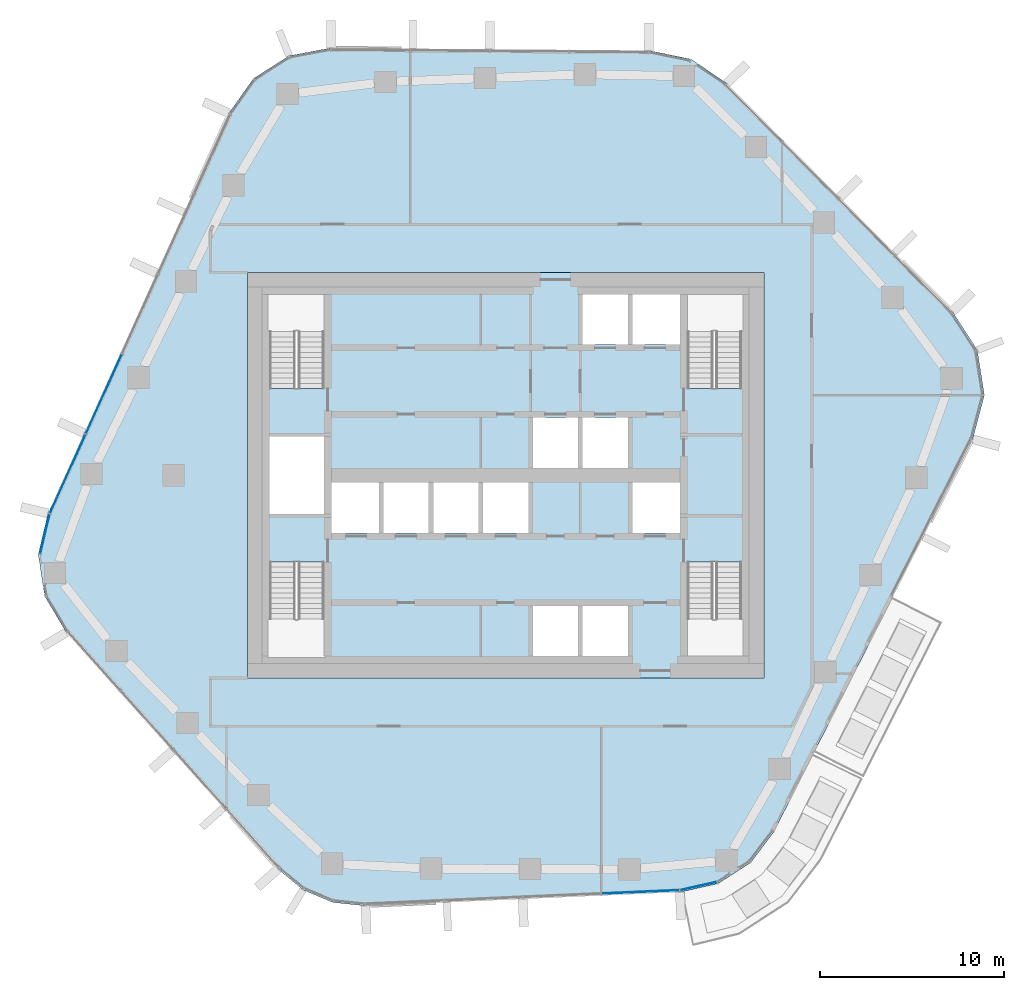
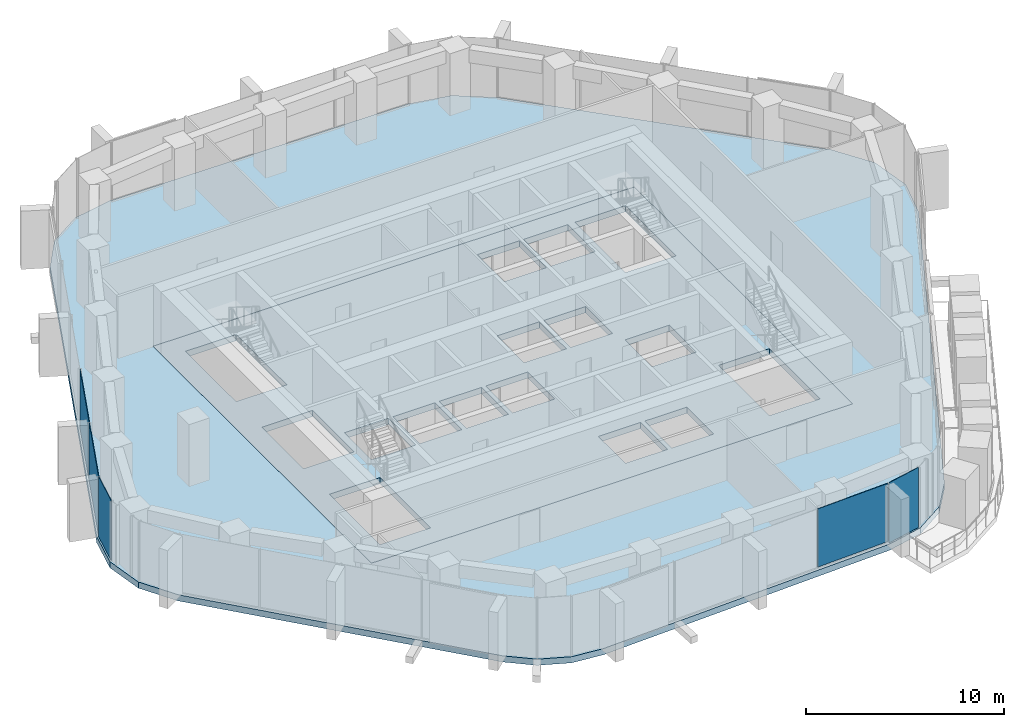
# One storey, part 8 of 17: 5 plates, 2 slabs, 4 elements without a shape of their own.
"""IFC4 building model written with IfcOpenShell, lengths in metres."""

from ifc_helpers import new_model, si_unit, direction, frame, origin, origin_2d, place, context, subcontext, project, spatial, polyline, rectangle, outline, extrude, material, layer, layer_set, type_object, element, aggregate, save


model = new_model("IFC4")

# Units and contexts
model_context = context("Model", 3, precision=1e-05, world=origin(), true_north=direction((0.0, 1.0)))
body_context = subcontext(model_context, "Body", "Model", "MODEL_VIEW")
ifc_project = project(units=[si_unit("LENGTHUNIT", "METRE"), si_unit("AREAUNIT", "SQUARE_METRE"), si_unit("VOLUMEUNIT", "CUBIC_METRE"), si_unit("PLANEANGLEUNIT", "RADIAN"), si_unit("MASSUNIT", "GRAM", prefix="KILO")], contexts=[model_context])

# Site, building, storey
site_placement = place(None, origin())
site = spatial("IfcSite", under=ifc_project, at=site_placement, CompositionType="ELEMENT")
building_placement = place(site_placement, origin())
building = spatial("IfcBuilding", under=site, at=building_placement, Name="Dongbaek Canopy Tower", CompositionType="ELEMENT")
storey_placement = place(building_placement, frame((0.0, 0.0, 175.39990234375)))
storey = spatial("IfcBuildingStorey", under=building, at=storey_placement, Name="L38", CompositionType="ELEMENT", Elevation=175.39990234375)

# Curtain wall, plates
ifc_material_1 = material(Name="Aluminium 6063-T6 pale anodised", Category="aluminium")
ifc_layer_1 = layer(ifc_material_1, 0.199951171875)
ifc_layer_set_1 = layer_set([ifc_layer_1], Name="CW-1 unitised tower curtain wall")
curtain_wall_type = type_object("IfcCurtainWallType", Name="CW-1 unitised tower curtain wall", PredefinedType="NOTDEFINED", material=ifc_layer_set_1)
curtain_wall_1_placement = place(storey_placement, origin())
curtain_wall_1 = element("IfcCurtainWall", 1, at=curtain_wall_1_placement, inside=storey, type_object=curtain_wall_type, Name="CW-1 curtain wall F2.1", PredefinedType="NOTDEFINED")
ifc_material_2 = material(Name="Clear laminated glass", Category="glass")
ifc_layer_2 = layer(ifc_material_2, 0.028076171875)
ifc_layer_set_2 = layer_set([ifc_layer_2], Name="CW-1 glazed panel 28")
plate_type = type_object("IfcPlateType", Name="CW-1 glazed panel 28", PredefinedType="CURTAIN_PANEL", material=ifc_layer_set_2)
plate_1_placement = place(storey_placement, frame((-21.775390625, 4.4111328125, 0.1201171875), z_axis=(0.0, 0.0, 1.0), x_axis=(-0.412080199763, -0.911147578037, 0.0)))
plate_1 = element("IfcPlate", 2, at=plate_1_placement, type_object=plate_type, Name="CW-1 panel F2.1.4.1", PredefinedType="CURTAIN_PANEL", context=body_context, shape_type="SweptSolid", body=[
    extrude(rectangle(XDim=4.677001953125, YDim=0.028076171875, at=origin_2d()), origin(), (0.0, 0.0, 1.0), 3.580078125),
])
plate_2_placement = place(storey_placement, frame((-23.735107421875, 0.077392578125, 0.1201171875), z_axis=(0.0, 0.0, 1.0), x_axis=(-0.412080199763, -0.911147578037, 0.0)))
plate_2 = element("IfcPlate", 3, at=plate_2_placement, type_object=plate_type, Name="CW-1 panel F2.1.5.1", PredefinedType="CURTAIN_PANEL", context=body_context, shape_type="SweptSolid", body=[
    extrude(rectangle(XDim=4.667236328125, YDim=0.028076171875, at=origin_2d()), origin(), (0.0, 0.0, 1.0), 3.580078125),
])
aggregate(curtain_wall_1, [plate_1, plate_2])

# Curtain wall, plate
curtain_wall_2_placement = place(storey_placement, origin())
curtain_wall_2 = element("IfcCurtainWall", 4, at=curtain_wall_2_placement, inside=storey, type_object=curtain_wall_type, Name="CW-1 curtain wall K3.1a", PredefinedType="NOTDEFINED")
plate_3_placement = place(storey_placement, frame((-24.97509765625, -3.189697265625, 0.0), z_axis=(0.0, 0.0, 1.0), x_axis=(-0.230205637646, -0.973142006285, 0.0)))
plate_3 = element("IfcPlate", 5, at=plate_3_placement, type_object=plate_type, Name="CW-1 panel K3.1a.1.1", PredefinedType="CURTAIN_PANEL", context=body_context, shape_type="SweptSolid", body=[
    extrude(rectangle(XDim=2.181884765625, YDim=0.028076171875, at=origin_2d()), origin(), (0.0, 0.0, 1.0), 3.699951171875),
])
aggregate(curtain_wall_2, [plate_3])

curtain_wall_3_placement = place(storey_placement, origin())
curtain_wall_3 = element("IfcCurtainWall", 6, at=curtain_wall_3_placement, inside=storey, type_object=curtain_wall_type, Name="CW-1 curtain wall F4.1", PredefinedType="NOTDEFINED")
plate_4_placement = place(storey_placement, frame((7.311279296875, -22.589599609375, 0.1201171875), z_axis=(0.0, 0.0, 1.0), x_axis=(0.999047313196, 0.043640187851, 0.0)))
plate_4 = element("IfcPlate", 7, at=plate_4_placement, type_object=plate_type, Name="CW-1 panel F4.1.4.1", PredefinedType="CURTAIN_PANEL", context=body_context, shape_type="SweptSolid", body=[
    extrude(rectangle(XDim=4.1767578125, YDim=0.028076171875, at=origin_2d()), origin(), (0.0, 0.0, 1.0), 3.580078125),
])
aggregate(curtain_wall_3, [plate_4])

curtain_wall_4_placement = place(storey_placement, origin())
curtain_wall_4 = element("IfcCurtainWall", 8, at=curtain_wall_4_placement, inside=storey, type_object=curtain_wall_type, Name="CW-1 curtain wall K5.1a", PredefinedType="NOTDEFINED")
plate_5_placement = place(storey_placement, frame((10.453857421875, -22.269775390625, 0.0), z_axis=(0.0, 0.0, 1.0), x_axis=(0.975895634578, 0.218237738286, 0.0)))
plate_5 = element("IfcPlate", 9, at=plate_5_placement, type_object=plate_type, Name="CW-1 panel K5.1a.1.1", PredefinedType="CURTAIN_PANEL", context=body_context, shape_type="SweptSolid", body=[
    extrude(rectangle(XDim=1.99462890625, YDim=0.028076171875, at=origin_2d()), origin(), (0.0, 0.0, 1.0), 3.699951171875),
])
aggregate(curtain_wall_4, [plate_5])

# Slabs
ifc_material_3 = material(Name="Concrete C40/50", Category="concrete")
ifc_layer_3 = layer(ifc_material_3, 0.3798828125)
ifc_layer_set_3 = layer_set([ifc_layer_3], Name="Core floor slab 380 Concrete C40/50")
slab_type_1 = type_object("IfcSlabType", Name="Core floor slab 380 Concrete C40/50", PredefinedType="FLOOR", material=ifc_layer_set_3)
slab_1_placement = place(storey_placement, frame((0.0, 0.0, -0.3798828125)))
element("IfcSlab", 10, at=slab_1_placement, inside=storey, type_object=slab_type_1, Name="Core floor slab L38", PredefinedType="FLOOR", context=body_context, shape_type="SweptSolid", body=[
    extrude(outline(polyline([(14.0, -11.0), (14.0, 11.0), (-14.0, 11.0), (-14.0, -11.0), (14.0, -11.0)]), holes=[polyline([(-12.800048828125, 2.10009765625), (-9.85009765625, 2.10009765625), (-9.85009765625, -2.10009765625), (-12.800048828125, -2.10009765625), (-12.800048828125, 2.10009765625)]), polyline([(6.625, 9.800048828125), (6.625, 7.074951171875), (4.175048828125, 7.074951171875), (4.175048828125, 9.800048828125), (6.625, 9.800048828125)]), polyline([(9.449951171875, 7.074951171875), (6.875, 7.074951171875), (6.875, 9.800048828125), (9.449951171875, 9.800048828125), (9.449951171875, 7.074951171875)]), polyline([(1.47509765625, 0.39990234375), (1.47509765625, 3.125), (3.925048828125, 3.125), (3.925048828125, 0.39990234375), (1.47509765625, 0.39990234375)]), polyline([(4.175048828125, 0.39990234375), (4.175048828125, 3.125), (6.625, 3.125), (6.625, 0.39990234375), (4.175048828125, 0.39990234375)]), polyline([(-9.449951171875, -0.39990234375), (-6.875, -0.39990234375), (-6.875, -3.125), (-9.449951171875, -3.125), (-9.449951171875, -0.39990234375)]), polyline([(-6.625, -3.125), (-6.625, -0.39990234375), (-4.175048828125, -0.39990234375), (-4.175048828125, -3.125), (-6.625, -3.125)]), polyline([(-3.925048828125, -3.125), (-3.925048828125, -0.39990234375), (-1.47509765625, -0.39990234375), (-1.47509765625, -3.125), (-3.925048828125, -3.125)]), polyline([(-1.22509765625, -3.125), (-1.22509765625, -0.39990234375), (1.22509765625, -0.39990234375), (1.22509765625, -3.125), (-1.22509765625, -3.125)]), polyline([(9.449951171875, -3.125), (6.875, -3.125), (6.875, -0.39990234375), (9.449951171875, -0.39990234375), (9.449951171875, -3.125)]), polyline([(1.47509765625, -9.800048828125), (1.47509765625, -7.074951171875), (3.925048828125, -7.074951171875), (3.925048828125, -9.800048828125), (1.47509765625, -9.800048828125)]), polyline([(4.175048828125, -9.800048828125), (4.175048828125, -7.074951171875), (6.625, -7.074951171875), (6.625, -9.800048828125), (4.175048828125, -9.800048828125)]), polyline([(12.800048828125, 4.70068359375), (12.800048828125, 9.800048828125), (9.85009765625, 9.800048828125), (9.85009765625, 4.70068359375), (12.800048828125, 4.70068359375)]), polyline([(-9.85009765625, 4.70068359375), (-9.85009765625, 9.800048828125), (-12.800048828125, 9.800048828125), (-12.800048828125, 4.70068359375), (-9.85009765625, 4.70068359375)]), polyline([(9.85009765625, -4.70068359375), (9.85009765625, -9.800048828125), (12.800048828125, -9.800048828125), (12.800048828125, -4.70068359375), (9.85009765625, -4.70068359375)]), polyline([(-12.800048828125, -4.70068359375), (-12.800048828125, -9.800048828125), (-9.85009765625, -9.800048828125), (-9.85009765625, -4.70068359375), (-12.800048828125, -4.70068359375)])]), origin(), (0.0, 0.0, 1.0), 0.3798828125),
])
ifc_material_4 = material(Name="Concrete C40", Category="concrete")
ifc_layer_4 = layer(ifc_material_4, 0.3798828125)
ifc_layer_set_4 = layer_set([ifc_layer_4], Name="RC FLAT PLATE 380 Concrete C40")
slab_type_2 = type_object("IfcSlabType", Name="RC FLAT PLATE 380 Concrete C40", PredefinedType="FLOOR", material=ifc_layer_set_4)
slab_2_placement = place(storey_placement, frame((0.0, 0.0, -0.3798828125)))
element("IfcSlab", 11, at=slab_2_placement, inside=storey, type_object=slab_type_2, Name="SLAB:L38", PredefinedType="FLOOR", context=body_context, shape_type="SweptSolid", body=[
    extrude(outline(polyline([(14.543212890625, -19.31396484375), (13.27685546875, -20.995849609375), (11.50732421875, -22.13671875), (9.452880859375, -22.59619140625), (-7.60888671875, -23.34130859375), (-9.362060546875, -23.158935546875), (-10.986572265625, -22.474609375), (-12.342041015625, -21.34814453125), (-23.813720703125, -8.5283203125), (-24.98876953125, -6.556640625), (-25.337646484375, -4.2880859375), (-24.809326171875, -2.0546875), (-14.999755859375, 19.635009765625), (-13.672607421875, 21.505859375), (-11.740478515625, 22.74169921875), (-9.485595703125, 23.16259765625), (7.7666015625, 23.027099609375), (10.052734375, 22.55517578125), (11.985595703125, 21.24658203125), (24.226318359375, 8.8701171875), (25.568115234375, 6.78466796875), (25.9521484375, 4.334716796875), (25.3125, 1.938720703125), (14.543212890625, -19.31396484375)]), holes=[polyline([(14.0, 11.0), (-14.0, 11.0), (-14.0, -11.0), (14.0, -11.0), (14.0, 11.0)])]), origin(), (0.0, 0.0, 1.0), 0.3798828125),
])

save(model, "model.ifc")
